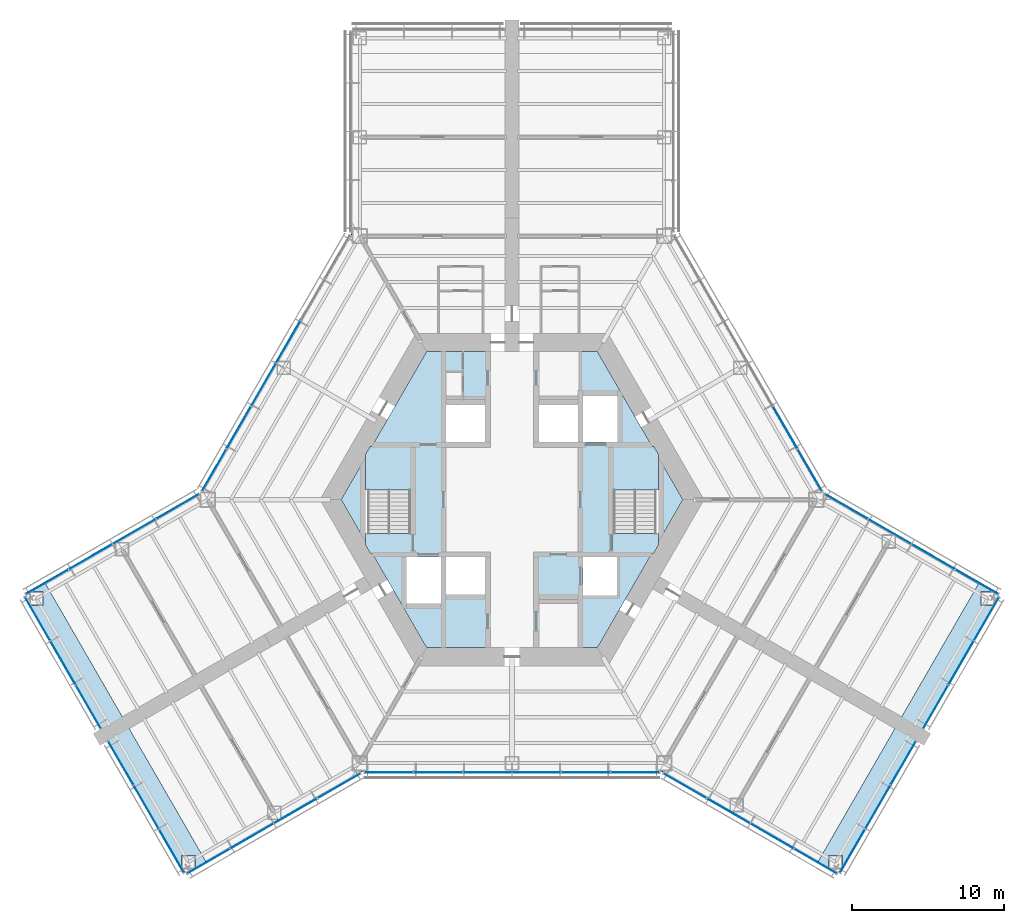
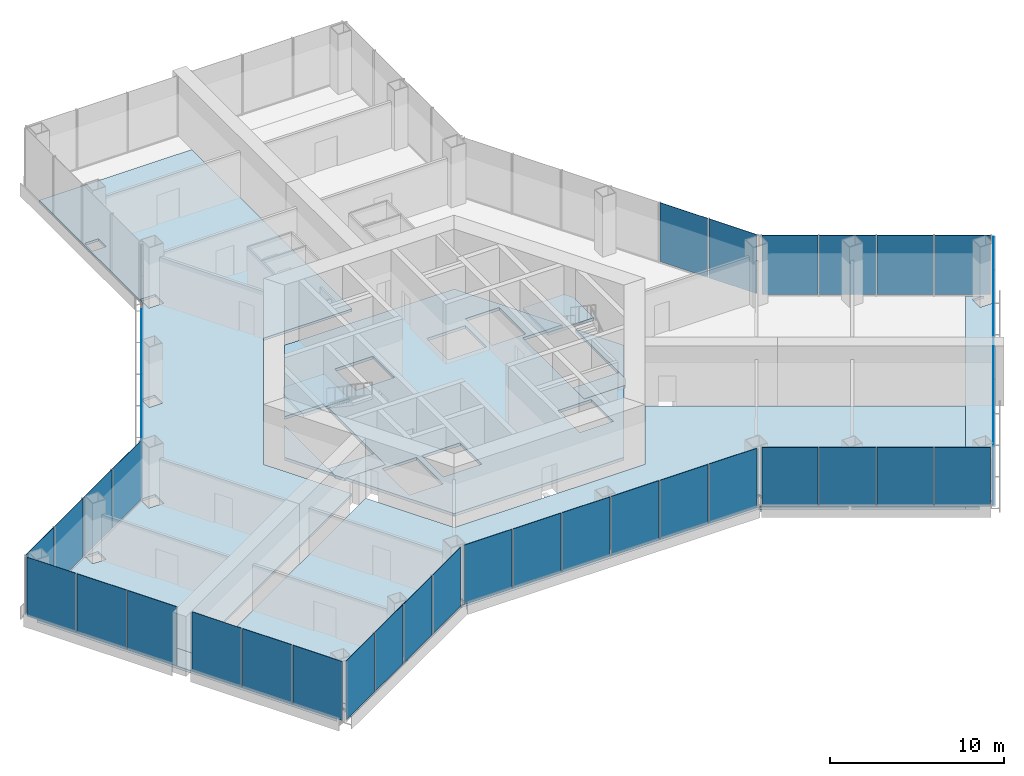
# One storey, part 9 of 15: 40 plates, 11 slabs, 13 elements without a shape of their own.
"""IFC4 building model written with IfcOpenShell, lengths in metres."""

from ifc_helpers import new_model, si_unit, direction, frame, origin, origin_2d, place, context, subcontext, project, spatial, polyline, rectangle, outline, extrude, material, layer, layer_set, type_object, element, aggregate, save


model = new_model("IFC4")

# Units and contexts
model_context = context("Model", 3, precision=1e-05, world=origin(), true_north=direction((0.0, 1.0)))
body_context = subcontext(model_context, "Body", "Model", "MODEL_VIEW")
ifc_project = project(units=[si_unit("LENGTHUNIT", "METRE"), si_unit("AREAUNIT", "SQUARE_METRE"), si_unit("VOLUMEUNIT", "CUBIC_METRE"), si_unit("PLANEANGLEUNIT", "RADIAN"), si_unit("MASSUNIT", "GRAM", prefix="KILO")], contexts=[model_context])

# Site, building, storey
site_placement = place(None, origin())
site = spatial("IfcSite", under=ifc_project, at=site_placement, CompositionType="ELEMENT")
building_placement = place(site_placement, origin())
building = spatial("IfcBuilding", under=site, at=building_placement, Name="Kasaneha Research Tower", CompositionType="ELEMENT")
storey_placement = place(building_placement, frame((0.0, 0.0, 39.39990234375)))
storey = spatial("IfcBuildingStorey", under=building, at=storey_placement, Name="L10", CompositionType="ELEMENT", Elevation=39.39990234375)

# Curtain wall, plates
ifc_material_1 = material(Name="Glass and aluminium", Category="aluminium")
curtain_wall_type = type_object("IfcCurtainWallType", Name="Dry laboratory curtain wall", PredefinedType="USERDEFINED", material=ifc_material_1)
curtain_wall_1_placement = place(storey_placement, origin())
curtain_wall_1 = element("IfcCurtainWall", 1, at=curtain_wall_1_placement, inside=storey, type_object=curtain_wall_type, Name="CW-L2 L10 run 01a", ObjectType="UNITISED CURTAIN WALL", PredefinedType="USERDEFINED")
ifc_material_2 = material(Name="Laminated double glazing", Category="glass")
ifc_layer_1 = layer(ifc_material_2, 0.028076171875)
ifc_layer_set_1 = layer_set([ifc_layer_1], Name="CW-L2 glazed panel")
plate_type = type_object("IfcPlateType", Name="CW-L2 glazed panel", PredefinedType="CURTAIN_PANEL", material=ifc_layer_set_1)
plate_1_placement = place(storey_placement, frame((-19.944091796875, -23.754638671875, 0.06494140625), z_axis=(0.0, 0.0, 1.0), x_axis=(0.866025411464, 0.499999986699, 0.0)))
plate_1 = element("IfcPlate", 2, at=plate_1_placement, type_object=plate_type, Name="CW-L2 panel 1", PredefinedType="CURTAIN_PANEL", context=body_context, shape_type="SweptSolid", body=[
    extrude(rectangle(XDim=3.21240234375, YDim=0.028076171875, at=origin_2d()), origin(), (0.0, 0.0, 1.0), 4.135009765625),
])
plate_2_placement = place(storey_placement, frame((-17.091796875, -22.107666015625, 0.06494140625), z_axis=(0.0, 0.0, 1.0), x_axis=(0.866025411464, 0.499999986699, 0.0)))
plate_2 = element("IfcPlate", 3, at=plate_2_placement, type_object=plate_type, Name="CW-L2 panel 2", PredefinedType="CURTAIN_PANEL", context=body_context, shape_type="SweptSolid", body=[
    extrude(rectangle(XDim=3.244873046875, YDim=0.028076171875, at=origin_2d()), origin(), (0.0, 0.0, 1.0), 4.135009765625),
])
plate_3_placement = place(storey_placement, frame((-14.225341796875, -20.452880859375, 0.06494140625), z_axis=(0.0, 0.0, 1.0), x_axis=(0.866025411464, 0.499999986699, 0.0)))
plate_3 = element("IfcPlate", 4, at=plate_3_placement, type_object=plate_type, Name="CW-L2 panel 3", PredefinedType="CURTAIN_PANEL", context=body_context, shape_type="SweptSolid", body=[
    extrude(rectangle(XDim=3.244873046875, YDim=0.028076171875, at=origin_2d()), origin(), (0.0, 0.0, 1.0), 4.135009765625),
])
plate_4_placement = place(storey_placement, frame((-11.373046875, -18.80615234375, 0.06494140625), z_axis=(0.0, 0.0, 1.0), x_axis=(0.866025411464, 0.499999986699, 0.0)))
plate_4 = element("IfcPlate", 5, at=plate_4_placement, type_object=plate_type, Name="CW-L2 panel 4", PredefinedType="CURTAIN_PANEL", context=body_context, shape_type="SweptSolid", body=[
    extrude(rectangle(XDim=3.21240234375, YDim=0.028076171875, at=origin_2d()), origin(), (0.0, 0.0, 1.0), 4.135009765625),
])
aggregate(curtain_wall_1, [plate_1, plate_2, plate_3, plate_4])

curtain_wall_2_placement = place(storey_placement, origin())
curtain_wall_2 = element("IfcCurtainWall", 6, at=curtain_wall_2_placement, inside=storey, type_object=curtain_wall_type, Name="CW-L2 L10 run 02a", ObjectType="UNITISED CURTAIN WALL", PredefinedType="USERDEFINED")
plate_5_placement = place(storey_placement, frame((-8.099853515625, -17.92041015625, 0.06494140625), z_axis=(0.0, 0.0, 1.0), x_axis=(1.0, 0.0, 0.0)))
plate_5 = element("IfcPlate", 7, at=plate_5_placement, type_object=plate_type, Name="CW-L2 panel 1", PredefinedType="CURTAIN_PANEL", context=body_context, shape_type="SweptSolid", body=[
    extrude(rectangle(XDim=3.14892578125, YDim=0.028076171875, at=origin_2d()), origin(), (0.0, 0.0, 1.0), 4.135009765625),
])
plate_6_placement = place(storey_placement, frame((-4.86962890625, -17.92041015625, 0.06494140625), z_axis=(0.0, 0.0, 1.0), x_axis=(1.0, 0.0, 0.0)))
plate_6 = element("IfcPlate", 8, at=plate_6_placement, type_object=plate_type, Name="CW-L2 panel 2", PredefinedType="CURTAIN_PANEL", context=body_context, shape_type="SweptSolid", body=[
    extrude(rectangle(XDim=3.181396484375, YDim=0.028076171875, at=origin_2d()), origin(), (0.0, 0.0, 1.0), 4.135009765625),
])
plate_7_placement = place(storey_placement, frame((-1.623291015625, -17.92041015625, 0.06494140625), z_axis=(0.0, 0.0, 1.0), x_axis=(1.0, 0.0, 0.0)))
plate_7 = element("IfcPlate", 9, at=plate_7_placement, type_object=plate_type, Name="CW-L2 panel 3", PredefinedType="CURTAIN_PANEL", context=body_context, shape_type="SweptSolid", body=[
    extrude(rectangle(XDim=3.181396484375, YDim=0.028076171875, at=origin_2d()), origin(), (0.0, 0.0, 1.0), 4.135009765625),
])
plate_8_placement = place(storey_placement, frame((1.623291015625, -17.92041015625, 0.06494140625), z_axis=(0.0, 0.0, 1.0), x_axis=(1.0, 0.0, 0.0)))
plate_8 = element("IfcPlate", 10, at=plate_8_placement, type_object=plate_type, Name="CW-L2 panel 4", PredefinedType="CURTAIN_PANEL", context=body_context, shape_type="SweptSolid", body=[
    extrude(rectangle(XDim=3.181396484375, YDim=0.028076171875, at=origin_2d()), origin(), (0.0, 0.0, 1.0), 4.135009765625),
])
plate_9_placement = place(storey_placement, frame((4.86962890625, -17.92041015625, 0.06494140625), z_axis=(0.0, 0.0, 1.0), x_axis=(1.0, 0.0, 0.0)))
plate_9 = element("IfcPlate", 11, at=plate_9_placement, type_object=plate_type, Name="CW-L2 panel 5", PredefinedType="CURTAIN_PANEL", context=body_context, shape_type="SweptSolid", body=[
    extrude(rectangle(XDim=3.181396484375, YDim=0.028076171875, at=origin_2d()), origin(), (0.0, 0.0, 1.0), 4.135009765625),
])
plate_10_placement = place(storey_placement, frame((8.099853515625, -17.92041015625, 0.06494140625), z_axis=(0.0, 0.0, 1.0), x_axis=(1.0, 0.0, 0.0)))
plate_10 = element("IfcPlate", 12, at=plate_10_placement, type_object=plate_type, Name="CW-L2 panel 6", PredefinedType="CURTAIN_PANEL", context=body_context, shape_type="SweptSolid", body=[
    extrude(rectangle(XDim=3.14892578125, YDim=0.028076171875, at=origin_2d()), origin(), (0.0, 0.0, 1.0), 4.135009765625),
])
aggregate(curtain_wall_2, [plate_5, plate_6, plate_7, plate_8, plate_9, plate_10])

curtain_wall_3_placement = place(storey_placement, origin())
curtain_wall_3 = element("IfcCurtainWall", 13, at=curtain_wall_3_placement, inside=storey, type_object=curtain_wall_type, Name="CW-L2 L10 run 03a", ObjectType="UNITISED CURTAIN WALL", PredefinedType="USERDEFINED")
plate_11_placement = place(storey_placement, frame((11.373046875, -18.80615234375, 0.06494140625), z_axis=(0.0, 0.0, 1.0), x_axis=(0.866025411464, -0.499999986699, 0.0)))
plate_11 = element("IfcPlate", 14, at=plate_11_placement, type_object=plate_type, Name="CW-L2 panel 1", PredefinedType="CURTAIN_PANEL", context=body_context, shape_type="SweptSolid", body=[
    extrude(rectangle(XDim=3.21240234375, YDim=0.028076171875, at=origin_2d()), origin(), (0.0, 0.0, 1.0), 4.135009765625),
])
plate_12_placement = place(storey_placement, frame((14.225341796875, -20.452880859375, 0.06494140625), z_axis=(0.0, 0.0, 1.0), x_axis=(0.866025411464, -0.499999986699, 0.0)))
plate_12 = element("IfcPlate", 15, at=plate_12_placement, type_object=plate_type, Name="CW-L2 panel 2", PredefinedType="CURTAIN_PANEL", context=body_context, shape_type="SweptSolid", body=[
    extrude(rectangle(XDim=3.244873046875, YDim=0.028076171875, at=origin_2d()), origin(), (0.0, 0.0, 1.0), 4.135009765625),
])
plate_13_placement = place(storey_placement, frame((17.091796875, -22.107666015625, 0.06494140625), z_axis=(0.0, 0.0, 1.0), x_axis=(0.866025411464, -0.499999986699, 0.0)))
plate_13 = element("IfcPlate", 16, at=plate_13_placement, type_object=plate_type, Name="CW-L2 panel 3", PredefinedType="CURTAIN_PANEL", context=body_context, shape_type="SweptSolid", body=[
    extrude(rectangle(XDim=3.244873046875, YDim=0.028076171875, at=origin_2d()), origin(), (0.0, 0.0, 1.0), 4.135009765625),
])
plate_14_placement = place(storey_placement, frame((19.944091796875, -23.754638671875, 0.06494140625), z_axis=(0.0, 0.0, 1.0), x_axis=(0.866025411464, -0.499999986699, 0.0)))
plate_14 = element("IfcPlate", 17, at=plate_14_placement, type_object=plate_type, Name="CW-L2 panel 4", PredefinedType="CURTAIN_PANEL", context=body_context, shape_type="SweptSolid", body=[
    extrude(rectangle(XDim=3.21240234375, YDim=0.028076171875, at=origin_2d()), origin(), (0.0, 0.0, 1.0), 4.135009765625),
])
aggregate(curtain_wall_3, [plate_11, plate_12, plate_13, plate_14])

curtain_wall_4_placement = place(storey_placement, origin())
curtain_wall_4 = element("IfcCurtainWall", 18, at=curtain_wall_4_placement, inside=storey, type_object=curtain_wall_type, Name="CW-L2 L10 run 04a", ObjectType="UNITISED CURTAIN WALL", PredefinedType="USERDEFINED")
plate_15_placement = place(storey_placement, frame((22.37353515625, -23.0888671875, 0.06494140625), z_axis=(0.0, 0.0, 1.0), x_axis=(0.500000011442, 0.866025397178, 0.0)))
plate_15 = element("IfcPlate", 19, at=plate_15_placement, type_object=plate_type, Name="CW-L2 panel 1", PredefinedType="CURTAIN_PANEL", context=body_context, shape_type="SweptSolid", body=[
    extrude(rectangle(XDim=3.25244140625, YDim=0.028076171875, at=origin_2d()), origin(), (0.0, 0.0, 1.0), 4.135009765625),
])
plate_16_placement = place(storey_placement, frame((24.04052734375, -20.20166015625, 0.06494140625), z_axis=(0.0, 0.0, 1.0), x_axis=(0.500000011442, 0.866025397178, 0.0)))
plate_16 = element("IfcPlate", 20, at=plate_16_placement, type_object=plate_type, Name="CW-L2 panel 2", PredefinedType="CURTAIN_PANEL", context=body_context, shape_type="SweptSolid", body=[
    extrude(rectangle(XDim=3.284912109375, YDim=0.028076171875, at=origin_2d()), origin(), (0.0, 0.0, 1.0), 4.135009765625),
])
plate_17_placement = place(storey_placement, frame((25.707275390625, -17.314697265625, 0.06494140625), z_axis=(0.0, 0.0, 1.0), x_axis=(0.500000011442, 0.866025397178, 0.0)))
plate_17 = element("IfcPlate", 21, at=plate_17_placement, type_object=plate_type, Name="CW-L2 panel 3", PredefinedType="CURTAIN_PANEL", context=body_context, shape_type="SweptSolid", body=[
    extrude(rectangle(XDim=3.25244140625, YDim=0.028076171875, at=origin_2d()), origin(), (0.0, 0.0, 1.0), 4.135009765625),
])
aggregate(curtain_wall_4, [plate_15, plate_16, plate_17])

curtain_wall_5_placement = place(storey_placement, origin())
curtain_wall_5 = element("IfcCurtainWall", 22, at=curtain_wall_5_placement, inside=storey, type_object=curtain_wall_type, Name="CW-L2 L10 run 05a", ObjectType="UNITISED CURTAIN WALL", PredefinedType="USERDEFINED")
plate_18_placement = place(storey_placement, frame((27.8486328125, -13.60595703125, 0.06494140625), z_axis=(0.0, 0.0, 1.0), x_axis=(0.500000011442, 0.866025397178, 0.0)))
plate_18 = element("IfcPlate", 23, at=plate_18_placement, type_object=plate_type, Name="CW-L2 panel 1", PredefinedType="CURTAIN_PANEL", context=body_context, shape_type="SweptSolid", body=[
    extrude(rectangle(XDim=3.25244140625, YDim=0.028076171875, at=origin_2d()), origin(), (0.0, 0.0, 1.0), 4.135009765625),
])
plate_19_placement = place(storey_placement, frame((29.515380859375, -10.71875, 0.06494140625), z_axis=(0.0, 0.0, 1.0), x_axis=(0.500000011442, 0.866025397178, 0.0)))
plate_19 = element("IfcPlate", 24, at=plate_19_placement, type_object=plate_type, Name="CW-L2 panel 2", PredefinedType="CURTAIN_PANEL", context=body_context, shape_type="SweptSolid", body=[
    extrude(rectangle(XDim=3.284912109375, YDim=0.028076171875, at=origin_2d()), origin(), (0.0, 0.0, 1.0), 4.135009765625),
])
plate_20_placement = place(storey_placement, frame((31.182373046875, -7.83154296875, 0.06494140625), z_axis=(0.0, 0.0, 1.0), x_axis=(0.500000011442, 0.866025397178, 0.0)))
plate_20 = element("IfcPlate", 25, at=plate_20_placement, type_object=plate_type, Name="CW-L2 panel 3", PredefinedType="CURTAIN_PANEL", context=body_context, shape_type="SweptSolid", body=[
    extrude(rectangle(XDim=3.25244140625, YDim=0.028076171875, at=origin_2d()), origin(), (0.0, 0.0, 1.0), 4.135009765625),
])
aggregate(curtain_wall_5, [plate_18, plate_19, plate_20])

curtain_wall_6_placement = place(storey_placement, origin())
curtain_wall_6 = element("IfcCurtainWall", 26, at=curtain_wall_6_placement, inside=storey, type_object=curtain_wall_type, Name="CW-L2 L10 run 06a", ObjectType="UNITISED CURTAIN WALL", PredefinedType="USERDEFINED")
plate_21_placement = place(storey_placement, frame((30.544189453125, -5.394775390625, 0.06494140625), z_axis=(0.0, 0.0, 1.0), x_axis=(-0.866025411464, 0.499999986699, 0.0)))
plate_21 = element("IfcPlate", 27, at=plate_21_placement, type_object=plate_type, Name="CW-L2 panel 1", PredefinedType="CURTAIN_PANEL", context=body_context, shape_type="SweptSolid", body=[
    extrude(rectangle(XDim=3.21240234375, YDim=0.028076171875, at=origin_2d()), origin(), (0.0, 0.0, 1.0), 4.135009765625),
])
plate_22_placement = place(storey_placement, frame((27.69189453125, -3.748046875, 0.06494140625), z_axis=(0.0, 0.0, 1.0), x_axis=(-0.866025411464, 0.499999986699, 0.0)))
plate_22 = element("IfcPlate", 28, at=plate_22_placement, type_object=plate_type, Name="CW-L2 panel 2", PredefinedType="CURTAIN_PANEL", context=body_context, shape_type="SweptSolid", body=[
    extrude(rectangle(XDim=3.244873046875, YDim=0.028076171875, at=origin_2d()), origin(), (0.0, 0.0, 1.0), 4.135009765625),
])
plate_23_placement = place(storey_placement, frame((24.825439453125, -2.093017578125, 0.06494140625), z_axis=(0.0, 0.0, 1.0), x_axis=(-0.866025411464, 0.499999986699, 0.0)))
plate_23 = element("IfcPlate", 29, at=plate_23_placement, type_object=plate_type, Name="CW-L2 panel 3", PredefinedType="CURTAIN_PANEL", context=body_context, shape_type="SweptSolid", body=[
    extrude(rectangle(XDim=3.244873046875, YDim=0.028076171875, at=origin_2d()), origin(), (0.0, 0.0, 1.0), 4.135009765625),
])
plate_24_placement = place(storey_placement, frame((21.97314453125, -0.4462890625, 0.06494140625), z_axis=(0.0, 0.0, 1.0), x_axis=(-0.866025411464, 0.499999986699, 0.0)))
plate_24 = element("IfcPlate", 30, at=plate_24_placement, type_object=plate_type, Name="CW-L2 panel 4", PredefinedType="CURTAIN_PANEL", context=body_context, shape_type="SweptSolid", body=[
    extrude(rectangle(XDim=3.21240234375, YDim=0.028076171875, at=origin_2d()), origin(), (0.0, 0.0, 1.0), 4.135009765625),
])
aggregate(curtain_wall_6, [plate_21, plate_22, plate_23, plate_24])

curtain_wall_7_placement = place(storey_placement, origin())
curtain_wall_7 = element("IfcCurtainWall", 31, at=curtain_wall_7_placement, inside=storey, type_object=curtain_wall_type, Name="CW-L2 L10 run 07a", ObjectType="UNITISED CURTAIN WALL", PredefinedType="USERDEFINED")
plate_25_placement = place(storey_placement, frame((19.569580078125, 1.945556640625, 0.06494140625), z_axis=(0.0, 0.0, 1.0), x_axis=(-0.49999996188, 0.866025425793, 0.0)))
plate_25 = element("IfcPlate", 32, at=plate_25_placement, type_object=plate_type, Name="CW-L2 panel 1", PredefinedType="CURTAIN_PANEL", context=body_context, shape_type="SweptSolid", body=[
    extrude(rectangle(XDim=3.14892578125, YDim=0.028076171875, at=origin_2d()), origin(), (0.0, 0.0, 1.0), 4.135009765625),
])
plate_26_placement = place(storey_placement, frame((17.954345703125, 4.7431640625, 0.06494140625), z_axis=(0.0, 0.0, 1.0), x_axis=(-0.49999996188, 0.866025425793, 0.0)))
plate_26 = element("IfcPlate", 33, at=plate_26_placement, type_object=plate_type, Name="CW-L2 panel 2", PredefinedType="CURTAIN_PANEL", context=body_context, shape_type="SweptSolid", body=[
    extrude(rectangle(XDim=3.181396484375, YDim=0.028076171875, at=origin_2d()), origin(), (0.0, 0.0, 1.0), 4.135009765625),
])
aggregate(curtain_wall_7, [plate_25, plate_26])

curtain_wall_8_placement = place(storey_placement, origin())
curtain_wall_8 = element("IfcCurtainWall", 34, at=curtain_wall_8_placement, inside=storey, type_object=curtain_wall_type, Name="CW-L2 L10 run 12a", ObjectType="UNITISED CURTAIN WALL", PredefinedType="USERDEFINED")
plate_27_placement = place(storey_placement, frame((-14.7080078125, 10.365966796875, 0.06494140625), z_axis=(0.0, 0.0, 1.0), x_axis=(-0.49999996188, -0.866025425793, 0.0)))
plate_27 = element("IfcPlate", 35, at=plate_27_placement, type_object=plate_type, Name="CW-L2 panel 3", PredefinedType="CURTAIN_PANEL", context=body_context, shape_type="SweptSolid", body=[
    extrude(rectangle(XDim=3.181396484375, YDim=0.028076171875, at=origin_2d()), origin(), (0.0, 0.0, 1.0), 4.135009765625),
])
plate_28_placement = place(storey_placement, frame((-16.331298828125, 7.554443359375, 0.06494140625), z_axis=(0.0, 0.0, 1.0), x_axis=(-0.49999996188, -0.866025425793, 0.0)))
plate_28 = element("IfcPlate", 36, at=plate_28_placement, type_object=plate_type, Name="CW-L2 panel 4", PredefinedType="CURTAIN_PANEL", context=body_context, shape_type="SweptSolid", body=[
    extrude(rectangle(XDim=3.181396484375, YDim=0.028076171875, at=origin_2d()), origin(), (0.0, 0.0, 1.0), 4.135009765625),
])
plate_29_placement = place(storey_placement, frame((-17.954345703125, 4.7431640625, 0.06494140625), z_axis=(0.0, 0.0, 1.0), x_axis=(-0.49999996188, -0.866025425793, 0.0)))
plate_29 = element("IfcPlate", 37, at=plate_29_placement, type_object=plate_type, Name="CW-L2 panel 5", PredefinedType="CURTAIN_PANEL", context=body_context, shape_type="SweptSolid", body=[
    extrude(rectangle(XDim=3.181396484375, YDim=0.028076171875, at=origin_2d()), origin(), (0.0, 0.0, 1.0), 4.135009765625),
])
plate_30_placement = place(storey_placement, frame((-19.569580078125, 1.945556640625, 0.06494140625), z_axis=(0.0, 0.0, 1.0), x_axis=(-0.49999996188, -0.866025425793, 0.0)))
plate_30 = element("IfcPlate", 38, at=plate_30_placement, type_object=plate_type, Name="CW-L2 panel 6", PredefinedType="CURTAIN_PANEL", context=body_context, shape_type="SweptSolid", body=[
    extrude(rectangle(XDim=3.14892578125, YDim=0.028076171875, at=origin_2d()), origin(), (0.0, 0.0, 1.0), 4.135009765625),
])
aggregate(curtain_wall_8, [plate_27, plate_28, plate_29, plate_30])

curtain_wall_9_placement = place(storey_placement, origin())
curtain_wall_9 = element("IfcCurtainWall", 39, at=curtain_wall_9_placement, inside=storey, type_object=curtain_wall_type, Name="CW-L2 L10 run 13a", ObjectType="UNITISED CURTAIN WALL", PredefinedType="USERDEFINED")
plate_31_placement = place(storey_placement, frame((-21.97314453125, -0.4462890625, 0.06494140625), z_axis=(0.0, 0.0, 1.0), x_axis=(-0.866025411464, -0.499999986699, 0.0)))
plate_31 = element("IfcPlate", 40, at=plate_31_placement, type_object=plate_type, Name="CW-L2 panel 1", PredefinedType="CURTAIN_PANEL", context=body_context, shape_type="SweptSolid", body=[
    extrude(rectangle(XDim=3.21240234375, YDim=0.028076171875, at=origin_2d()), origin(), (0.0, 0.0, 1.0), 4.135009765625),
])
plate_32_placement = place(storey_placement, frame((-24.825439453125, -2.093017578125, 0.06494140625), z_axis=(0.0, 0.0, 1.0), x_axis=(-0.866025411464, -0.499999986699, 0.0)))
plate_32 = element("IfcPlate", 41, at=plate_32_placement, type_object=plate_type, Name="CW-L2 panel 2", PredefinedType="CURTAIN_PANEL", context=body_context, shape_type="SweptSolid", body=[
    extrude(rectangle(XDim=3.244873046875, YDim=0.028076171875, at=origin_2d()), origin(), (0.0, 0.0, 1.0), 4.135009765625),
])
plate_33_placement = place(storey_placement, frame((-27.69189453125, -3.748046875, 0.06494140625), z_axis=(0.0, 0.0, 1.0), x_axis=(-0.866025411464, -0.499999986699, 0.0)))
plate_33 = element("IfcPlate", 42, at=plate_33_placement, type_object=plate_type, Name="CW-L2 panel 3", PredefinedType="CURTAIN_PANEL", context=body_context, shape_type="SweptSolid", body=[
    extrude(rectangle(XDim=3.244873046875, YDim=0.028076171875, at=origin_2d()), origin(), (0.0, 0.0, 1.0), 4.135009765625),
])
plate_34_placement = place(storey_placement, frame((-30.544189453125, -5.394775390625, 0.06494140625), z_axis=(0.0, 0.0, 1.0), x_axis=(-0.866025411464, -0.499999986699, 0.0)))
plate_34 = element("IfcPlate", 43, at=plate_34_placement, type_object=plate_type, Name="CW-L2 panel 4", PredefinedType="CURTAIN_PANEL", context=body_context, shape_type="SweptSolid", body=[
    extrude(rectangle(XDim=3.21240234375, YDim=0.028076171875, at=origin_2d()), origin(), (0.0, 0.0, 1.0), 4.135009765625),
])
aggregate(curtain_wall_9, [plate_31, plate_32, plate_33, plate_34])

curtain_wall_10_placement = place(storey_placement, origin())
curtain_wall_10 = element("IfcCurtainWall", 44, at=curtain_wall_10_placement, inside=storey, type_object=curtain_wall_type, Name="CW-L2 L10 run 14a", ObjectType="UNITISED CURTAIN WALL", PredefinedType="USERDEFINED")
plate_35_placement = place(storey_placement, frame((-31.182373046875, -7.83154296875, 0.06494140625), z_axis=(0.0, 0.0, 1.0), x_axis=(0.500000011442, -0.866025397178, 0.0)))
plate_35 = element("IfcPlate", 45, at=plate_35_placement, type_object=plate_type, Name="CW-L2 panel 1", PredefinedType="CURTAIN_PANEL", context=body_context, shape_type="SweptSolid", body=[
    extrude(rectangle(XDim=3.25244140625, YDim=0.028076171875, at=origin_2d()), origin(), (0.0, 0.0, 1.0), 4.135009765625),
])
plate_36_placement = place(storey_placement, frame((-29.515380859375, -10.71875, 0.06494140625), z_axis=(0.0, 0.0, 1.0), x_axis=(0.500000011442, -0.866025397178, 0.0)))
plate_36 = element("IfcPlate", 46, at=plate_36_placement, type_object=plate_type, Name="CW-L2 panel 2", PredefinedType="CURTAIN_PANEL", context=body_context, shape_type="SweptSolid", body=[
    extrude(rectangle(XDim=3.284912109375, YDim=0.028076171875, at=origin_2d()), origin(), (0.0, 0.0, 1.0), 4.135009765625),
])
plate_37_placement = place(storey_placement, frame((-27.8486328125, -13.60595703125, 0.06494140625), z_axis=(0.0, 0.0, 1.0), x_axis=(0.500000011442, -0.866025397178, 0.0)))
plate_37 = element("IfcPlate", 47, at=plate_37_placement, type_object=plate_type, Name="CW-L2 panel 3", PredefinedType="CURTAIN_PANEL", context=body_context, shape_type="SweptSolid", body=[
    extrude(rectangle(XDim=3.25244140625, YDim=0.028076171875, at=origin_2d()), origin(), (0.0, 0.0, 1.0), 4.135009765625),
])
aggregate(curtain_wall_10, [plate_35, plate_36, plate_37])

curtain_wall_11_placement = place(storey_placement, origin())
curtain_wall_11 = element("IfcCurtainWall", 48, at=curtain_wall_11_placement, inside=storey, type_object=curtain_wall_type, Name="CW-L2 L10 run 15a", ObjectType="UNITISED CURTAIN WALL", PredefinedType="USERDEFINED")
plate_38_placement = place(storey_placement, frame((-25.707275390625, -17.314697265625, 0.06494140625), z_axis=(0.0, 0.0, 1.0), x_axis=(0.500000011442, -0.866025397178, 0.0)))
plate_38 = element("IfcPlate", 49, at=plate_38_placement, type_object=plate_type, Name="CW-L2 panel 1", PredefinedType="CURTAIN_PANEL", context=body_context, shape_type="SweptSolid", body=[
    extrude(rectangle(XDim=3.25244140625, YDim=0.028076171875, at=origin_2d()), origin(), (0.0, 0.0, 1.0), 4.135009765625),
])
plate_39_placement = place(storey_placement, frame((-24.04052734375, -20.20166015625, 0.06494140625), z_axis=(0.0, 0.0, 1.0), x_axis=(0.500000011442, -0.866025397178, 0.0)))
plate_39 = element("IfcPlate", 50, at=plate_39_placement, type_object=plate_type, Name="CW-L2 panel 2", PredefinedType="CURTAIN_PANEL", context=body_context, shape_type="SweptSolid", body=[
    extrude(rectangle(XDim=3.284912109375, YDim=0.028076171875, at=origin_2d()), origin(), (0.0, 0.0, 1.0), 4.135009765625),
])
plate_40_placement = place(storey_placement, frame((-22.37353515625, -23.0888671875, 0.06494140625), z_axis=(0.0, 0.0, 1.0), x_axis=(0.500000011442, -0.866025397178, 0.0)))
plate_40 = element("IfcPlate", 51, at=plate_40_placement, type_object=plate_type, Name="CW-L2 panel 3", PredefinedType="CURTAIN_PANEL", context=body_context, shape_type="SweptSolid", body=[
    extrude(rectangle(XDim=3.25244140625, YDim=0.028076171875, at=origin_2d()), origin(), (0.0, 0.0, 1.0), 4.135009765625),
])
aggregate(curtain_wall_11, [plate_38, plate_39, plate_40])

# Slabs
ifc_material_3 = material(Name="Concrete Fc24", Category="concrete")
ifc_layer_2 = layer(ifc_material_3, 0.199951171875)
ifc_layer_set_2 = layer_set([ifc_layer_2], Name="Core floor slab 200")
slab_type_1 = type_object("IfcSlabType", Name="Core floor slab 200", PredefinedType="FLOOR", material=ifc_layer_set_2)
slab_1_placement = place(storey_placement, frame((0.0, 0.0, -0.199951171875)))
element("IfcSlab", 52, at=slab_1_placement, inside=storey, type_object=slab_type_1, Name="Core slab L10", PredefinedType="FLOOR", context=body_context, shape_type="SweptSolid", body=[
    extrude(outline(polyline([(-11.2294921875, 0.0), (-9.625, 2.779052734375), (-9.625, -2.779052734375), (-11.2294921875, 0.0)])), origin(), (0.0, 0.0, 1.0), 0.199951171875),
])
slab_2_placement = place(storey_placement, frame((0.0, 0.0, -0.199951171875)))
element("IfcSlab", 53, at=slab_2_placement, inside=storey, type_object=slab_type_1, Name="Core slab L10", PredefinedType="FLOOR", context=body_context, shape_type="SweptSolid", body=[
    extrude(outline(polyline([(-5.61474609375, 9.72509765625), (5.61474609375, 9.72509765625), (9.1943359375, 3.52490234375), (6.574951171875, 3.52490234375), (6.574951171875, -3.52490234375), (9.1943359375, -3.52490234375), (5.61474609375, -9.72509765625), (-5.61474609375, -9.72509765625), (-9.1943359375, -3.52490234375), (-6.574951171875, -3.52490234375), (-6.574951171875, 3.52490234375), (-9.1943359375, 3.52490234375), (-5.61474609375, 9.72509765625)]), holes=[polyline([(-6.925048828125, -3.77490234375), (-6.925048828125, -6.824951171875), (-4.675048828125, -6.824951171875), (-4.675048828125, -3.77490234375), (-6.925048828125, -3.77490234375)]), polyline([(4.675048828125, -3.77490234375), (4.675048828125, -6.300048828125), (6.89990234375, -6.300048828125), (6.89990234375, -3.77490234375), (4.675048828125, -3.77490234375)]), polyline([(-4.324951171875, -3.77490234375), (-4.324951171875, -6.22509765625), (-1.77490234375, -6.22509765625), (-1.77490234375, -3.77490234375), (-4.324951171875, -3.77490234375)]), polyline([(-4.324951171875, 6.22509765625), (-4.324951171875, 3.77490234375), (-1.77490234375, 3.77490234375), (-1.77490234375, 6.22509765625), (-4.324951171875, 6.22509765625)]), polyline([(1.77490234375, 6.22509765625), (1.77490234375, 3.77490234375), (4.324951171875, 3.77490234375), (4.324951171875, 6.22509765625), (1.77490234375, 6.22509765625)]), polyline([(4.675048828125, 6.824951171875), (4.675048828125, 3.77490234375), (6.925048828125, 3.77490234375), (6.925048828125, 6.824951171875), (4.675048828125, 6.824951171875)])]), origin(), (0.0, 0.0, 1.0), 0.199951171875),
])
slab_3_placement = place(storey_placement, frame((0.0, 0.0, -0.199951171875)))
element("IfcSlab", 54, at=slab_3_placement, inside=storey, type_object=slab_type_1, Name="Core slab L10", PredefinedType="FLOOR", context=body_context, shape_type="SweptSolid", body=[
    extrude(outline(polyline([(11.2294921875, 0.0), (9.625, -2.779052734375), (9.625, 2.779052734375), (11.2294921875, 0.0)])), origin(), (0.0, 0.0, 1.0), 0.199951171875),
])
ifc_material_4 = material(Name="Concrete Fc24", Category="concrete")
ifc_layer_3 = layer(ifc_material_4, 0.169921875)
ifc_layer_set_3 = layer_set([ifc_layer_3], Name="Floor slab 170")
slab_type_2 = type_object("IfcSlabType", Name="Floor slab 170", PredefinedType="FLOOR", material=ifc_layer_set_3)
slab_4_placement = place(storey_placement, frame((0.0, 0.0, -0.169921875)))
element("IfcSlab", 55, at=slab_4_placement, inside=storey, type_object=slab_type_2, Name="Floor slab L10 1", PredefinedType="FLOOR", context=body_context, shape_type="SweptSolid", body=[
    extrude(outline(polyline([(-25.167236328125, -15.050048828125), (-25.15869140625, -15.044921875), (-20.108642578125, -23.791748046875), (-20.808349609375, -24.19580078125), (-20.808349609375, -23.37060546875), (-21.708251953125, -23.37060546875), (-21.708251953125, -24.14111328125), (-31.633544921875, -6.949951171875), (-30.808349609375, -6.949951171875), (-30.808349609375, -6.050048828125), (-31.578857421875, -6.050048828125), (-30.65869140625, -5.518798828125), (-25.608642578125, -14.265625), (-25.6171875, -14.2705078125), (-25.167236328125, -15.050048828125)])), origin(), (0.0, 0.0, 1.0), 0.169921875),
])
slab_5_placement = place(storey_placement, frame((0.0, 0.0, -0.169921875)))
element("IfcSlab", 56, at=slab_5_placement, inside=storey, type_object=slab_type_2, Name="Floor slab L10 2", PredefinedType="FLOOR", context=body_context, shape_type="SweptSolid", body=[
    extrude(outline(polyline([(-25.17919921875, -2.800048828125), (-25.94970703125, -2.800048828125), (-20.5, 0.346435546875), (-20.5, -0.5), (-19.5, -0.5), (-19.5, 0.5), (-20.346435546875, 0.5), (-15.449951171875, 8.980712890625), (-15.449951171875, 8.210205078125), (-14.550048828125, 8.210205078125), (-14.550048828125, 9.1103515625), (-15.375244140625, 9.1103515625), (-10.550048828125, 17.4677734375), (-10.550048828125, 29.310546875), (-0.449951171875, 29.310546875), (-0.449951171875, 10.925048828125), (-6.3076171875, 10.925048828125), (-12.614990234375, 0.0), (-9.686279296875, -5.07275390625), (-25.608642578125, -14.265625), (-30.65869140625, -5.518798828125), (-26.0791015625, -2.874755859375), (-26.0791015625, -3.699951171875), (-25.17919921875, -3.699951171875), (-25.17919921875, -2.800048828125)]), holes=[polyline([(-9.5, 16.820556640625), (-9.5, 17.820556640625), (-10.5, 17.820556640625), (-10.5, 16.820556640625), (-9.5, 16.820556640625)]), polyline([(-10.449951171875, 23.37060546875), (-9.550048828125, 23.37060546875), (-9.550048828125, 24.2705078125), (-10.449951171875, 24.2705078125), (-10.449951171875, 23.37060546875)])]), origin(), (0.0, 0.0, 1.0), 0.169921875),
])
slab_6_placement = place(storey_placement, frame((0.0, 0.0, -0.169921875)))
element("IfcSlab", 57, at=slab_6_placement, inside=storey, type_object=slab_type_2, Name="Floor slab L10 4", PredefinedType="FLOOR", context=body_context, shape_type="SweptSolid", body=[
    extrude(outline(polyline([(-6.3076171875, -10.925048828125), (6.3076171875, -10.925048828125), (9.236328125, -5.852294921875), (25.15869140625, -15.044921875), (20.108642578125, -23.791748046875), (14.442626953125, -20.5205078125), (15.213134765625, -20.5205078125), (15.213134765625, -19.62060546875), (14.313232421875, -19.62060546875), (14.313232421875, -20.44580078125), (9.8525390625, -17.87060546875), (-9.8525390625, -17.87060546875), (-15.17919921875, -20.94580078125), (-15.17919921875, -20.12060546875), (-16.0791015625, -20.12060546875), (-16.0791015625, -21.0205078125), (-15.30859375, -21.0205078125), (-20.108642578125, -23.791748046875), (-25.15869140625, -15.044921875), (-9.236328125, -5.852294921875), (-6.3076171875, -10.925048828125)]), holes=[polyline([(-0.449951171875, -17.7705078125), (0.449951171875, -17.7705078125), (0.449951171875, -16.87060546875), (-0.449951171875, -16.87060546875), (-0.449951171875, -17.7705078125)]), polyline([(-9.5, -17.820556640625), (-9.5, -16.820556640625), (-10.5, -16.820556640625), (-10.5, -17.820556640625), (-9.5, -17.820556640625)]), polyline([(10.5, -17.820556640625), (10.5, -16.820556640625), (9.5, -16.820556640625), (9.5, -17.820556640625), (10.5, -17.820556640625)])]), origin(), (0.0, 0.0, 1.0), 0.169921875),
])
slab_7_placement = place(storey_placement, frame((0.0, 0.0, -0.169921875)))
element("IfcSlab", 58, at=slab_7_placement, inside=storey, type_object=slab_type_2, Name="Floor slab L10 6", PredefinedType="FLOOR", context=body_context, shape_type="SweptSolid", body=[
    extrude(outline(polyline([(25.167236328125, -15.050048828125), (25.6171875, -14.2705078125), (25.608642578125, -14.265625), (30.65869140625, -5.518798828125), (31.578857421875, -6.050048828125), (30.808349609375, -6.050048828125), (30.808349609375, -6.949951171875), (31.633544921875, -6.949951171875), (21.708251953125, -24.14111328125), (21.708251953125, -23.37060546875), (20.808349609375, -23.37060546875), (20.808349609375, -24.19580078125), (20.108642578125, -23.791748046875), (25.15869140625, -15.044921875), (25.167236328125, -15.050048828125)])), origin(), (0.0, 0.0, 1.0), 0.169921875),
])

# Stair, slabs
ifc_material_5 = material(Name="Concrete Fc24", Category="concrete")
stair_type = type_object("IfcStairType", Name="Half-turn stair 24 risers", PredefinedType="HALF_TURN_STAIR", material=ifc_material_5)
stair_1_placement = place(storey_placement, origin())
stair_1 = element("IfcStair", 59, at=stair_1_placement, inside=storey, type_object=stair_type, Name="Stair 1 L10", PredefinedType="HALF_TURN_STAIR")
ifc_material_6 = material(Name="Concrete Fc24", Category="concrete")
ifc_layer_4 = layer(ifc_material_6, 0.199951171875)
ifc_layer_set_4 = layer_set([ifc_layer_4], Name="Stair 1 landing 200")
slab_type_3 = type_object("IfcSlabType", Name="Stair 1 landing 200", PredefinedType="LANDING", material=ifc_layer_set_4)
slab_8_placement = place(storey_placement, frame((0.0, 0.0, -0.199951171875)))
slab_8 = element("IfcSlab", 60, at=slab_8_placement, type_object=slab_type_3, Name="ST1-24R landing 1", PredefinedType="LANDING", context=body_context, shape_type="SweptSolid", body=[
    extrude(outline(polyline([(9.309814453125, -3.52490234375), (6.574951171875, -3.52490234375), (6.574951171875, -2.22509765625), (9.625, -2.22509765625), (9.625, -2.97900390625), (9.309814453125, -3.52490234375)])), origin(), (0.0, 0.0, 1.0), 0.199951171875),
])
slab_9_placement = place(storey_placement, frame((0.0, 0.0, 1.900146484375)))
slab_9 = element("IfcSlab", 61, at=slab_9_placement, type_object=slab_type_3, Name="ST1-24R landing 2", PredefinedType="LANDING", context=body_context, shape_type="SweptSolid", body=[
    extrude(outline(polyline([(6.574951171875, 3.52490234375), (9.309814453125, 3.52490234375), (9.625, 2.97900390625), (9.625, 0.635009765625), (6.574951171875, 0.635009765625), (6.574951171875, 3.52490234375)])), origin(), (0.0, 0.0, 1.0), 0.199951171875),
])
aggregate(stair_1, [slab_8, slab_9])

stair_2_placement = place(storey_placement, origin())
stair_2 = element("IfcStair", 62, at=stair_2_placement, inside=storey, type_object=stair_type, Name="Stair 2 L10", PredefinedType="HALF_TURN_STAIR")
ifc_material_7 = material(Name="Concrete Fc24", Category="concrete")
ifc_layer_5 = layer(ifc_material_7, 0.199951171875)
ifc_layer_set_5 = layer_set([ifc_layer_5], Name="Stair 2 landing 200")
slab_type_4 = type_object("IfcSlabType", Name="Stair 2 landing 200", PredefinedType="LANDING", material=ifc_layer_set_5)
slab_10_placement = place(storey_placement, frame((0.0, 0.0, -0.199951171875)))
slab_10 = element("IfcSlab", 63, at=slab_10_placement, type_object=slab_type_4, Name="ST2-24R landing 1", PredefinedType="LANDING", context=body_context, shape_type="SweptSolid", body=[
    extrude(outline(polyline([(-6.574951171875, -3.52490234375), (-9.309814453125, -3.52490234375), (-9.625, -2.97900390625), (-9.625, -2.22509765625), (-6.574951171875, -2.22509765625), (-6.574951171875, -3.52490234375)])), origin(), (0.0, 0.0, 1.0), 0.199951171875),
])
slab_11_placement = place(storey_placement, frame((0.0, 0.0, 1.900146484375)))
slab_11 = element("IfcSlab", 64, at=slab_11_placement, type_object=slab_type_4, Name="ST2-24R landing 2", PredefinedType="LANDING", context=body_context, shape_type="SweptSolid", body=[
    extrude(outline(polyline([(-6.574951171875, 0.635009765625), (-9.625, 0.635009765625), (-9.625, 2.97900390625), (-9.309814453125, 3.52490234375), (-6.574951171875, 3.52490234375), (-6.574951171875, 0.635009765625)])), origin(), (0.0, 0.0, 1.0), 0.199951171875),
])
aggregate(stair_2, [slab_10, slab_11])

save(model, "model.ifc")
